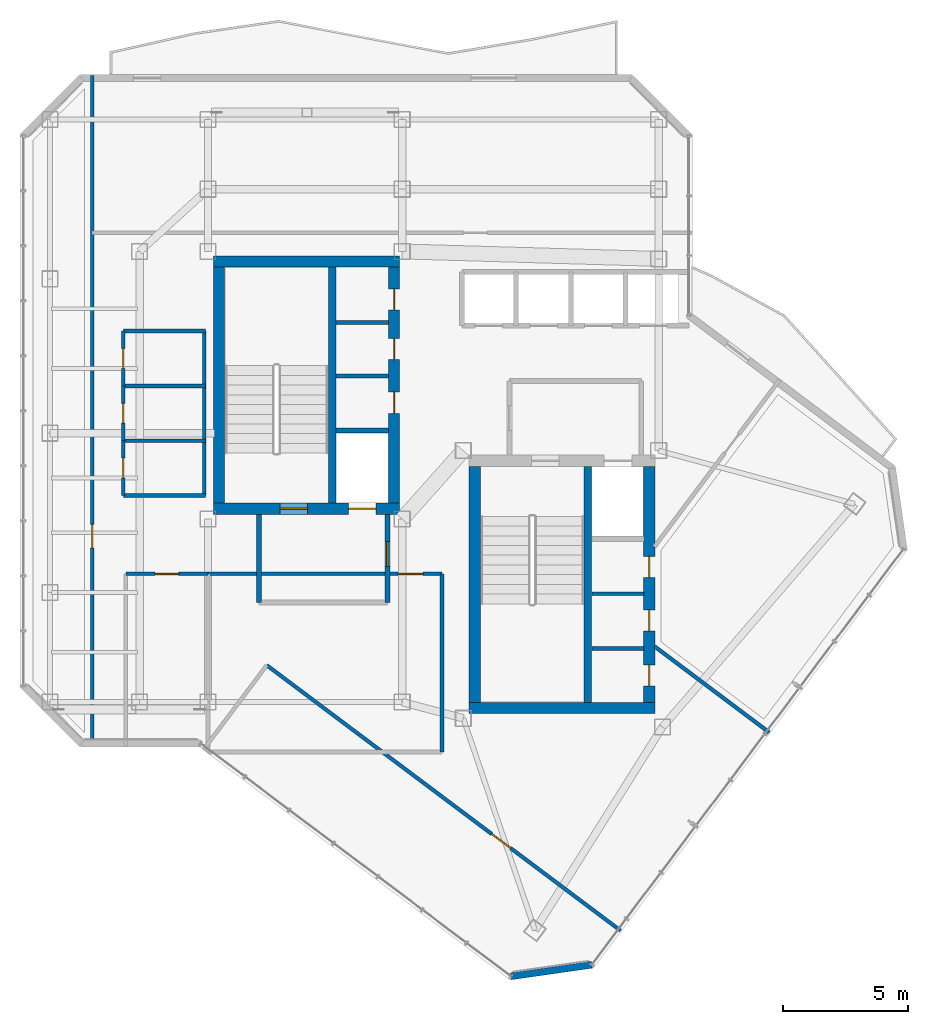
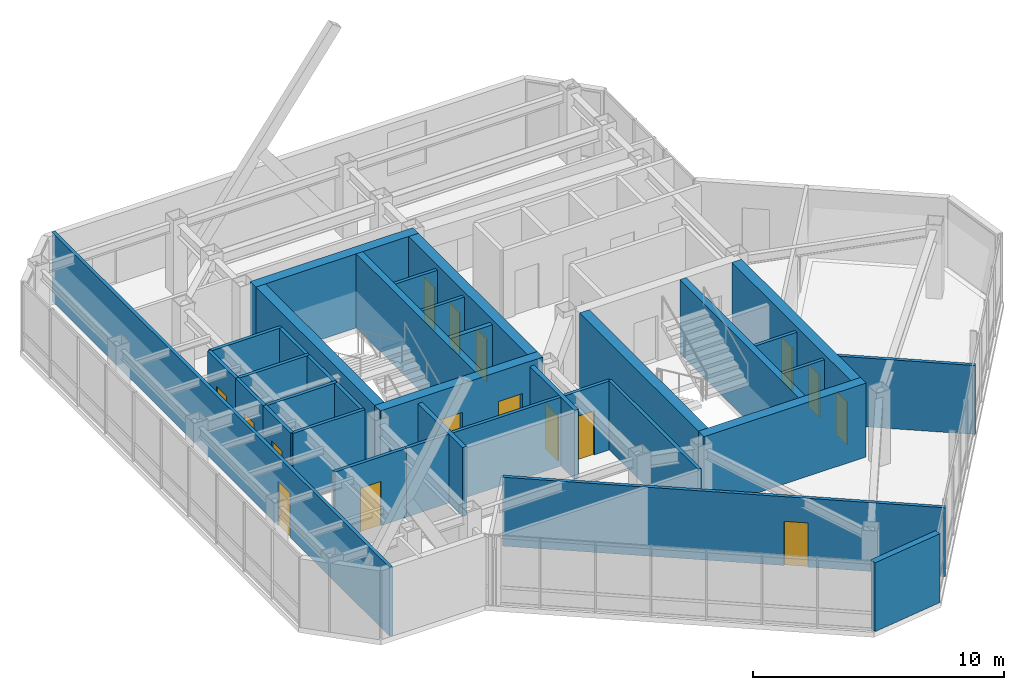
# One storey, part 18 of 22: 31 walls, 16 doors, 16 openings.
"""IFC4 building model written with IfcOpenShell, lengths in metres."""

from ifc_helpers import new_model, si_unit, direction, frame, frame_2d, origin, place, context, subcontext, project, spatial, rectangle, extrude, material, layer, layer_set, type_object, element, fill, save


model = new_model("IFC4")

# Units and contexts
model_context = context("Model", 3, precision=1e-05, world=origin(), true_north=direction((0.0, 1.0)))
body_context = subcontext(model_context, "Body", "Model", "MODEL_VIEW")
ifc_project = project(units=[si_unit("LENGTHUNIT", "METRE"), si_unit("AREAUNIT", "SQUARE_METRE"), si_unit("VOLUMEUNIT", "CUBIC_METRE"), si_unit("PLANEANGLEUNIT", "RADIAN"), si_unit("MASSUNIT", "GRAM", prefix="KILO")], contexts=[model_context])

# Site, building, storey
site_placement = place(None, origin())
site = spatial("IfcSite", under=ifc_project, at=site_placement, CompositionType="ELEMENT")
building_placement = place(site_placement, origin())
building = spatial("IfcBuilding", under=site, at=building_placement, Name="Hatsunagi Terrace Concourse", CompositionType="ELEMENT")
storey_placement = place(building_placement, frame((0.0, 0.0, 239.550048828125)))
storey = spatial("IfcBuildingStorey", under=building, at=storey_placement, Name="L63", CompositionType="ELEMENT", Elevation=239.550048828125)

# Wall, openings, doors
ifc_material_1 = material(Name="Concrete Fc42", Category="concrete")
ifc_layer_1 = layer(ifc_material_1, 0.449951171875)
ifc_layer_set_1 = layer_set([ifc_layer_1], Name="CoreShearWall_Fc42_450")
wall_type_1 = type_object("IfcWallType", Name="CoreShearWall_Fc42_450", PredefinedType="SHEAR", material=ifc_layer_set_1)
wall_1_placement = place(storey_placement, frame((25.77001953125, 32.965087890625, 0.0), z_axis=(0.0, 0.0, 1.0), x_axis=(1.0, 0.0, 0.0)))
wall_1 = element("IfcWall", 1, at=wall_1_placement, inside=storey, type_object=wall_type_1, Name="Core A Shear Wall S L63", PredefinedType="SHEAR", context=body_context, shape_type="SweptSolid", body=[
    extrude(rectangle(XDim=7.47998046875, YDim=0.449951171875, at=frame_2d((3.739990234375, 0.0))), origin(), (0.0, 0.0, 1.0), 3.599853515625),
])
opening_1_placement = place(wall_1_placement, frame((2.679931640625, 0.0, 0.0)))
opening_1 = element("IfcOpeningElement", 2, at=opening_1_placement, cuts=wall_1, Name="Opening DR-110S", PredefinedType="OPENING", context=body_context, shape_type="SweptSolid", body=[
    extrude(rectangle(XDim=1.10009765625, YDim=2.199951171875, at=frame_2d((0.550048828125, 1.10009765625))), frame((0.0, 0.23486328125, 0.0), z_axis=(0.0, -1.0, 0.0), x_axis=(1.0, 0.0, 0.0)), (0.0, 0.0, 1.0), 0.469970703125),
])
opening_2_placement = place(wall_1_placement, frame((5.429931640625, 0.0, 0.0)))
opening_2 = element("IfcOpeningElement", 3, at=opening_2_placement, cuts=wall_1, Name="Opening LD-01", PredefinedType="OPENING", context=body_context, shape_type="SweptSolid", body=[
    extrude(rectangle(XDim=1.10009765625, YDim=2.14990234375, at=frame_2d((0.550048828125, 1.074951171875))), frame((0.0, 0.23486328125, 0.0), z_axis=(0.0, -1.0, 0.0), x_axis=(1.0, 0.0, 0.0)), (0.0, 0.0, 1.0), 0.469970703125),
])
ifc_material_2 = material(Name="Stainless steel", Category="steel")
door_type_1 = type_object("IfcDoorType", Name="LiftLandingDoor_LD01", OperationType="SLIDING_TO_LEFT", PredefinedType="USERDEFINED", material=ifc_material_2)
door_1_placement = place(opening_2_placement, origin())
door_1 = element("IfcDoor", 4, at=door_1_placement, inside=storey, type_object=door_type_1, Name="Lift landing door FF-01 L63", ObjectType="SLIDING_LANDING_DOOR", OperationType="SLIDING_TO_LEFT", OverallHeight=2.14990234375, OverallWidth=1.10009765625, PredefinedType="USERDEFINED", context=body_context, shape_type="SweptSolid", body=[
    extrude(rectangle(XDim=1.10009765625, YDim=2.14990234375, at=frame_2d((0.550048828125, 1.074951171875))), frame((0.0, 0.02490234375, 0.0), z_axis=(0.0, -1.0, 0.0), x_axis=(1.0, 0.0, 0.0)), (0.0, 0.0, 1.0), 0.050048828125),
])
fill(opening_2, door_1)
ifc_material_3 = material(Name="Painted steel", Category="steel")
door_type_2 = type_object("IfcDoorType", Name="StairFireDoor_EI60_1100", OperationType="NOTDEFINED", PredefinedType="DOOR", material=ifc_material_3)
door_2_placement = place(opening_1_placement, origin())
door_2 = element("IfcDoor", 5, at=door_2_placement, inside=storey, type_object=door_type_2, Name="Stair ST-A Exit Door L63", OperationType="SINGLE_SWING_LEFT", OverallHeight=2.199951171875, OverallWidth=1.10009765625, PredefinedType="DOOR", context=body_context, shape_type="SweptSolid", body=[
    extrude(rectangle(XDim=1.10009765625, YDim=2.199951171875, at=frame_2d((0.550048828125, 1.10009765625))), frame((0.0, 0.02490234375, 0.0), z_axis=(0.0, -1.0, 0.0), x_axis=(1.0, 0.0, 0.0)), (0.0, 0.0, 1.0), 0.050048828125),
])
fill(opening_1, door_2)

# Walls
wall_2_placement = place(storey_placement, frame((25.77001953125, 42.89501953125, 0.0), z_axis=(0.0, 0.0, 1.0), x_axis=(1.0, 0.0, 0.0)))
element("IfcWall", 6, at=wall_2_placement, inside=storey, type_object=wall_type_1, Name="Core A Shear Wall N L63", PredefinedType="SHEAR", context=body_context, shape_type="SweptSolid", body=[
    extrude(rectangle(XDim=7.47998046875, YDim=0.449951171875, at=frame_2d((3.739990234375, 0.0))), origin(), (0.0, 0.0, 1.0), 3.599853515625),
])
wall_3_placement = place(storey_placement, frame((25.9951171875, 33.18994140625, 0.0), z_axis=(0.0, 0.0, 1.0), x_axis=(0.0, 1.0, 0.0)))
element("IfcWall", 7, at=wall_3_placement, inside=storey, type_object=wall_type_1, Name="Core A Shear Wall W L63", PredefinedType="SHEAR", context=body_context, shape_type="SweptSolid", body=[
    extrude(rectangle(XDim=9.47998046875, YDim=0.449951171875, at=frame_2d((4.739990234375, 0.0))), origin(), (0.0, 0.0, 1.0), 3.599853515625),
])

# Wall, openings, doors
wall_4_placement = place(storey_placement, frame((33.02490234375, 33.18994140625, 0.0), z_axis=(0.0, 0.0, 1.0), x_axis=(0.0, 1.0, 0.0)))
wall_4 = element("IfcWall", 8, at=wall_4_placement, inside=storey, type_object=wall_type_1, Name="Core A Shear Wall E L63", PredefinedType="SHEAR", context=body_context, shape_type="SweptSolid", body=[
    extrude(rectangle(XDim=9.47998046875, YDim=0.449951171875, at=frame_2d((4.739990234375, 0.0))), origin(), (0.0, 0.0, 1.0), 3.599853515625),
])
opening_3_placement = place(wall_4_placement, frame((3.610107421875, 0.0, 0.0)))
opening_3 = element("IfcOpeningElement", 9, at=opening_3_placement, cuts=wall_4, Name="Opening DR-085", PredefinedType="OPENING", context=body_context, shape_type="SweptSolid", body=[
    extrude(rectangle(XDim=0.85009765625, YDim=2.080078125, at=frame_2d((0.425048828125, 1.0400390625))), frame((0.0, 0.23486328125, 0.0), z_axis=(0.0, -1.0, 0.0), x_axis=(1.0, 0.0, 0.0)), (0.0, 0.0, 1.0), 0.469970703125),
])
opening_4_placement = place(wall_4_placement, frame((5.760009765625, 0.0, 0.0)))
opening_4 = element("IfcOpeningElement", 10, at=opening_4_placement, cuts=wall_4, Name="Opening DR-085", PredefinedType="OPENING", context=body_context, shape_type="SweptSolid", body=[
    extrude(rectangle(XDim=0.85009765625, YDim=2.080078125, at=frame_2d((0.425048828125, 1.0400390625))), frame((0.0, 0.23486328125, 0.0), z_axis=(0.0, -1.0, 0.0), x_axis=(1.0, 0.0, 0.0)), (0.0, 0.0, 1.0), 0.469970703125),
])
opening_5_placement = place(wall_4_placement, frame((7.760009765625, 0.0, 0.0)))
opening_5 = element("IfcOpeningElement", 11, at=opening_5_placement, cuts=wall_4, Name="Opening DR-085", PredefinedType="OPENING", context=body_context, shape_type="SweptSolid", body=[
    extrude(rectangle(XDim=0.85009765625, YDim=2.080078125, at=frame_2d((0.425048828125, 1.0400390625))), frame((0.0, 0.23486328125, 0.0), z_axis=(0.0, -1.0, 0.0), x_axis=(1.0, 0.0, 0.0)), (0.0, 0.0, 1.0), 0.469970703125),
])
ifc_material_4 = material(Name="Painted steel", Category="steel")
door_type_3 = type_object("IfcDoorType", Name="RiserAccessDoor_EI60_850", OperationType="NOTDEFINED", PredefinedType="DOOR", material=ifc_material_4)
door_3_placement = place(opening_3_placement, origin())
door_3 = element("IfcDoor", 12, at=door_3_placement, inside=storey, type_object=door_type_3, Name="Core A Riser Door L63-1", OperationType="SINGLE_SWING_LEFT", OverallHeight=2.080078125, OverallWidth=0.85009765625, PredefinedType="DOOR", context=body_context, shape_type="SweptSolid", body=[
    extrude(rectangle(XDim=0.85009765625, YDim=2.080078125, at=frame_2d((0.425048828125, 1.0400390625))), frame((0.0, 0.02490234375, 0.0), z_axis=(0.0, -1.0, 0.0), x_axis=(1.0, 0.0, 0.0)), (0.0, 0.0, 1.0), 0.050048828125),
])
fill(opening_3, door_3)
door_4_placement = place(opening_4_placement, origin())
door_4 = element("IfcDoor", 13, at=door_4_placement, inside=storey, type_object=door_type_3, Name="Core A Riser Door L63-2", OperationType="SINGLE_SWING_LEFT", OverallHeight=2.080078125, OverallWidth=0.85009765625, PredefinedType="DOOR", context=body_context, shape_type="SweptSolid", body=[
    extrude(rectangle(XDim=0.85009765625, YDim=2.080078125, at=frame_2d((0.425048828125, 1.0400390625))), frame((0.0, 0.02490234375, 0.0), z_axis=(0.0, -1.0, 0.0), x_axis=(1.0, 0.0, 0.0)), (0.0, 0.0, 1.0), 0.050048828125),
])
fill(opening_4, door_4)
door_5_placement = place(opening_5_placement, origin())
door_5 = element("IfcDoor", 14, at=door_5_placement, inside=storey, type_object=door_type_3, Name="Core A Riser Door L63-3", OperationType="SINGLE_SWING_LEFT", OverallHeight=2.080078125, OverallWidth=0.85009765625, PredefinedType="DOOR", context=body_context, shape_type="SweptSolid", body=[
    extrude(rectangle(XDim=0.85009765625, YDim=2.080078125, at=frame_2d((0.425048828125, 1.0400390625))), frame((0.0, 0.02490234375, 0.0), z_axis=(0.0, -1.0, 0.0), x_axis=(1.0, 0.0, 0.0)), (0.0, 0.0, 1.0), 0.050048828125),
])
fill(opening_5, door_5)

# Walls
wall_5_placement = place(storey_placement, frame((36.0400390625, 24.965087890625, 0.0), z_axis=(0.0, 0.0, 1.0), x_axis=(1.0, 0.0, 0.0)))
element("IfcWall", 15, at=wall_5_placement, inside=storey, type_object=wall_type_1, Name="Core B Shear Wall S L63", PredefinedType="SHEAR", context=body_context, shape_type="SweptSolid", body=[
    extrude(rectangle(XDim=7.4599609375, YDim=0.449951171875, at=frame_2d((3.72998046875, 0.0))), origin(), (0.0, 0.0, 1.0), 3.599853515625),
])
wall_6_placement = place(storey_placement, frame((36.264892578125, 25.18994140625, 0.0), z_axis=(0.0, 0.0, 1.0), x_axis=(0.0, 1.0, 0.0)))
element("IfcWall", 16, at=wall_6_placement, inside=storey, type_object=wall_type_1, Name="Core B Shear Wall W L63", PredefinedType="SHEAR", context=body_context, shape_type="SweptSolid", body=[
    extrude(rectangle(XDim=9.47998046875, YDim=0.449951171875, at=frame_2d((4.739990234375, 0.0))), origin(), (0.0, 0.0, 1.0), 3.599853515625),
])

# Wall, openings, doors
wall_7_placement = place(storey_placement, frame((43.27490234375, 25.18994140625, 0.0), z_axis=(0.0, 0.0, 1.0), x_axis=(0.0, 1.0, 0.0)))
wall_7 = element("IfcWall", 17, at=wall_7_placement, inside=storey, type_object=wall_type_1, Name="Core B Shear Wall E L63", PredefinedType="SHEAR", context=body_context, shape_type="SweptSolid", body=[
    extrude(rectangle(XDim=9.47998046875, YDim=0.449951171875, at=frame_2d((4.739990234375, 0.0))), origin(), (0.0, 0.0, 1.0), 3.599853515625),
])
opening_6_placement = place(wall_7_placement, frame((0.659912109375, 0.0, 0.0)))
opening_6 = element("IfcOpeningElement", 18, at=opening_6_placement, cuts=wall_7, Name="Opening DR-085", PredefinedType="OPENING", context=body_context, shape_type="SweptSolid", body=[
    extrude(rectangle(XDim=0.85009765625, YDim=2.080078125, at=frame_2d((0.425048828125, 1.0400390625))), frame((0.0, 0.23486328125, 0.0), z_axis=(0.0, -1.0, 0.0), x_axis=(1.0, 0.0, 0.0)), (0.0, 0.0, 1.0), 0.469970703125),
])
opening_7_placement = place(wall_7_placement, frame((2.860107421875, 0.0, 0.0)))
opening_7 = element("IfcOpeningElement", 19, at=opening_7_placement, cuts=wall_7, Name="Opening DR-085", PredefinedType="OPENING", context=body_context, shape_type="SweptSolid", body=[
    extrude(rectangle(XDim=0.85009765625, YDim=2.080078125, at=frame_2d((0.425048828125, 1.0400390625))), frame((0.0, 0.23486328125, 0.0), z_axis=(0.0, -1.0, 0.0), x_axis=(1.0, 0.0, 0.0)), (0.0, 0.0, 1.0), 0.469970703125),
])
opening_8_placement = place(wall_7_placement, frame((5.010009765625, 0.0, 0.0)))
opening_8 = element("IfcOpeningElement", 20, at=opening_8_placement, cuts=wall_7, Name="Opening DR-085", PredefinedType="OPENING", context=body_context, shape_type="SweptSolid", body=[
    extrude(rectangle(XDim=0.85009765625, YDim=2.080078125, at=frame_2d((0.425048828125, 1.0400390625))), frame((0.0, 0.23486328125, 0.0), z_axis=(0.0, -1.0, 0.0), x_axis=(1.0, 0.0, 0.0)), (0.0, 0.0, 1.0), 0.469970703125),
])
door_6_placement = place(opening_6_placement, origin())
door_6 = element("IfcDoor", 21, at=door_6_placement, inside=storey, type_object=door_type_3, Name="Core B Riser Door L63-1", OperationType="SINGLE_SWING_RIGHT", OverallHeight=2.080078125, OverallWidth=0.85009765625, PredefinedType="DOOR", context=body_context, shape_type="SweptSolid", body=[
    extrude(rectangle(XDim=0.85009765625, YDim=2.080078125, at=frame_2d((0.425048828125, 1.0400390625))), frame((0.0, 0.02490234375, 0.0), z_axis=(0.0, -1.0, 0.0), x_axis=(1.0, 0.0, 0.0)), (0.0, 0.0, 1.0), 0.050048828125),
])
fill(opening_6, door_6)
door_7_placement = place(opening_7_placement, origin())
door_7 = element("IfcDoor", 22, at=door_7_placement, inside=storey, type_object=door_type_3, Name="Core B Riser Door L63-2", OperationType="SINGLE_SWING_RIGHT", OverallHeight=2.080078125, OverallWidth=0.85009765625, PredefinedType="DOOR", context=body_context, shape_type="SweptSolid", body=[
    extrude(rectangle(XDim=0.85009765625, YDim=2.080078125, at=frame_2d((0.425048828125, 1.0400390625))), frame((0.0, 0.02490234375, 0.0), z_axis=(0.0, -1.0, 0.0), x_axis=(1.0, 0.0, 0.0)), (0.0, 0.0, 1.0), 0.050048828125),
])
fill(opening_7, door_7)
door_8_placement = place(opening_8_placement, origin())
door_8 = element("IfcDoor", 23, at=door_8_placement, inside=storey, type_object=door_type_3, Name="Core B Riser Door L63-3", OperationType="SINGLE_SWING_RIGHT", OverallHeight=2.080078125, OverallWidth=0.85009765625, PredefinedType="DOOR", context=body_context, shape_type="SweptSolid", body=[
    extrude(rectangle(XDim=0.85009765625, YDim=2.080078125, at=frame_2d((0.425048828125, 1.0400390625))), frame((0.0, 0.02490234375, 0.0), z_axis=(0.0, -1.0, 0.0), x_axis=(1.0, 0.0, 0.0)), (0.0, 0.0, 1.0), 0.050048828125),
])
fill(opening_8, door_8)

# Walls
ifc_material_5 = material(Name="Concrete Fc48", Category="concrete")
ifc_layer_2 = layer(ifc_material_5, 0.300048828125)
ifc_layer_set_2 = layer_set([ifc_layer_2], Name="CoreStairDivider_Fc48_300")
wall_type_2 = type_object("IfcWallType", Name="CoreStairDivider_Fc48_300", PredefinedType="SHEAR", material=ifc_layer_set_2)
for number, where, z_axis, x_axis, name in (
    (24, (30.5400390625, 33.18994140625, 0.0), (0.0, 0.0, 1.0), (0.0, 1.0, 0.0), "Core A Shear Wall D L63"),
    (25, (40.81005859375, 25.18994140625, 0.0), (0.0, 0.0, 1.0), (0.0, 1.0, 0.0), "Core B Shear Wall D L63"),
):
    element("IfcWall", number, at=place(storey_placement, frame(where, z_axis=z_axis, x_axis=x_axis)), inside=storey, type_object=wall_type_2, Name=name, PredefinedType="SHEAR", context=body_context, shape_type="SweptSolid", body=[
        extrude(rectangle(XDim=9.47998046875, YDim=0.300048828125, at=frame_2d((4.739990234375, 0.0))), origin(), (0.0, 0.0, 1.0), 3.599853515625),
    ])
ifc_material_6 = material(Name="Acoustic mineral board", Category="gypsum")
ifc_layer_3 = layer(ifc_material_6, 0.14990234375)
ifc_layer_set_3 = layer_set([ifc_layer_3], Name="PartitionWall_EI60_150")
wall_type_3 = type_object("IfcWallType", Name="PartitionWall_EI60_150", PredefinedType="PARTITIONING", material=ifc_layer_set_3)
for number, where, z_axis, x_axis, name in (
    (26, (30.699951171875, 38.300048828125, 0.0), (0.0, 0.0, 1.0), (1.0, 0.0, 0.0), "Interior Partition IW-L63-002"),
    (27, (30.699951171875, 40.449951171875, 0.0), (0.0, 0.0, 1.0), (1.0, 0.0, 0.0), "Interior Partition IW-L63-003"),
):
    element("IfcWall", number, at=place(storey_placement, frame(where, z_axis=z_axis, x_axis=x_axis)), inside=storey, type_object=wall_type_3, Name=name, PredefinedType="PARTITIONING", context=body_context, shape_type="SweptSolid", body=[
        extrude(rectangle(XDim=2.10009765625, YDim=0.14990234375, at=frame_2d((1.050048828125, 0.0))), origin(), (0.0, 0.0, 1.0), 3.349853515625),
    ])
for number, where, z_axis, x_axis, name in (
    (28, (40.969970703125, 27.35009765625, 0.0), (0.0, 0.0, 1.0), (1.0, 0.0, 0.0), "Interior Partition IW-L63-005"),
    (29, (40.969970703125, 29.550048828125, 0.0), (0.0, 0.0, 1.0), (1.0, 0.0, 0.0), "Interior Partition IW-L63-006"),
):
    element("IfcWall", number, at=place(storey_placement, frame(where, z_axis=z_axis, x_axis=x_axis)), inside=storey, type_object=wall_type_3, Name=name, PredefinedType="PARTITIONING", context=body_context, shape_type="SweptSolid", body=[
        extrude(rectangle(XDim=2.080078125, YDim=0.14990234375, at=frame_2d((1.0400390625, 0.0))), origin(), (0.0, 0.0, 1.0), 3.349853515625),
    ])
for number, where, z_axis, x_axis, name in (
    (30, (22.14990234375, 33.5, 0.0), (0.0, 0.0, 1.0), (1.0, 0.0, 0.0), "Interior Partition IW-L63-019"),
    (31, (22.14990234375, 40.10009765625, 0.0), (0.0, 0.0, 1.0), (1.0, 0.0, 0.0), "Interior Partition IW-L63-020"),
):
    element("IfcWall", number, at=place(storey_placement, frame(where, z_axis=z_axis, x_axis=x_axis)), inside=storey, type_object=wall_type_3, Name=name, PredefinedType="PARTITIONING", context=body_context, shape_type="SweptSolid", body=[
        extrude(rectangle(XDim=3.300048828125, YDim=0.14990234375, at=frame_2d((1.64990234375, 0.0))), origin(), (0.0, 0.0, 1.0), 3.349853515625),
    ])
wall_8_placement = place(storey_placement, frame((25.39990234375, 33.5, 0.0), z_axis=(0.0, 0.0, 1.0), x_axis=(0.0, 1.0, 0.0)))
element("IfcWall", 32, at=wall_8_placement, inside=storey, type_object=wall_type_3, Name="Interior Partition IW-L63-021", PredefinedType="PARTITIONING", context=body_context, shape_type="SweptSolid", body=[
    extrude(rectangle(XDim=6.60009765625, YDim=0.14990234375, at=frame_2d((3.300048828125, 0.0))), origin(), (0.0, 0.0, 1.0), 3.349853515625),
])
for number, where, z_axis, x_axis, name in (
    (33, (22.14990234375, 35.699951171875, 0.0), (0.0, 0.0, 1.0), (1.0, 0.0, 0.0), "Interior Partition IW-L63-022"),
    (34, (22.14990234375, 37.89990234375, 0.0), (0.0, 0.0, 1.0), (1.0, 0.0, 0.0), "Interior Partition IW-L63-023"),
):
    element("IfcWall", number, at=place(storey_placement, frame(where, z_axis=z_axis, x_axis=x_axis)), inside=storey, type_object=wall_type_3, Name=name, PredefinedType="PARTITIONING", context=body_context, shape_type="SweptSolid", body=[
        extrude(rectangle(XDim=3.300048828125, YDim=0.14990234375, at=frame_2d((1.64990234375, 0.0))), origin(), (0.0, 0.0, 1.0), 3.349853515625),
    ])

# Wall, opening, door
wall_9_placement = place(storey_placement, frame((22.14990234375, 33.5, 0.0), z_axis=(0.0, 0.0, 1.0), x_axis=(0.0, 1.0, 0.0)))
wall_9 = element("IfcWall", 35, at=wall_9_placement, inside=storey, type_object=wall_type_3, Name="Interior Partition IW-L63-024", PredefinedType="PARTITIONING", context=body_context, shape_type="SweptSolid", body=[
    extrude(rectangle(XDim=2.199951171875, YDim=0.14990234375, at=frame_2d((1.10009765625, 0.0))), origin(), (0.0, 0.0, 1.0), 3.349853515625),
])
opening_9_placement = place(wall_9_placement, frame((0.699951171875, 0.0, 0.0)))
opening_9 = element("IfcOpeningElement", 36, at=opening_9_placement, cuts=wall_9, Name="Opening DR-080", PredefinedType="OPENING", context=body_context, shape_type="SweptSolid", body=[
    extrude(rectangle(XDim=0.800048828125, YDim=2.06005859375, at=frame_2d((0.39990234375, 1.030029296875))), frame((0.0, 0.0849609375, 0.0), z_axis=(0.0, -1.0, 0.0), x_axis=(1.0, 0.0, 0.0)), (0.0, 0.0, 1.0), 0.169921875),
])
ifc_material_7 = material(Name="Hardwood timber", Category="wood")
door_type_4 = type_object("IfcDoorType", Name="BathroomDoor_800", OperationType="NOTDEFINED", PredefinedType="DOOR", material=ifc_material_7)
door_9_placement = place(opening_9_placement, origin())
door_9 = element("IfcDoor", 37, at=door_9_placement, inside=storey, type_object=door_type_4, Name="Accessible WC Door L63", OperationType="SINGLE_SWING_RIGHT", OverallHeight=2.06005859375, OverallWidth=0.800048828125, PredefinedType="DOOR", context=body_context, shape_type="SweptSolid", body=[
    extrude(rectangle(XDim=0.800048828125, YDim=2.06005859375, at=frame_2d((0.39990234375, 1.030029296875))), frame((0.0, 0.02490234375, 0.0), z_axis=(0.0, -1.0, 0.0), x_axis=(1.0, 0.0, 0.0)), (0.0, 0.0, 1.0), 0.050048828125),
])
fill(opening_9, door_9)

wall_10_placement = place(storey_placement, frame((22.14990234375, 35.699951171875, 0.0), z_axis=(0.0, 0.0, 1.0), x_axis=(0.0, 1.0, 0.0)))
wall_10 = element("IfcWall", 38, at=wall_10_placement, inside=storey, type_object=wall_type_3, Name="Interior Partition IW-L63-025", PredefinedType="PARTITIONING", context=body_context, shape_type="SweptSolid", body=[
    extrude(rectangle(XDim=2.199951171875, YDim=0.14990234375, at=frame_2d((1.10009765625, 0.0))), origin(), (0.0, 0.0, 1.0), 3.349853515625),
])
opening_10_placement = place(wall_10_placement, frame((0.699951171875, 0.0, 0.0)))
opening_10 = element("IfcOpeningElement", 39, at=opening_10_placement, cuts=wall_10, Name="Opening DR-080", PredefinedType="OPENING", context=body_context, shape_type="SweptSolid", body=[
    extrude(rectangle(XDim=0.800048828125, YDim=2.06005859375, at=frame_2d((0.39990234375, 1.030029296875))), frame((0.0, 0.0849609375, 0.0), z_axis=(0.0, -1.0, 0.0), x_axis=(1.0, 0.0, 0.0)), (0.0, 0.0, 1.0), 0.169921875),
])
door_10_placement = place(opening_10_placement, origin())
door_10 = element("IfcDoor", 40, at=door_10_placement, inside=storey, type_object=door_type_4, Name="Female Restroom Door L63", OperationType="SINGLE_SWING_RIGHT", OverallHeight=2.06005859375, OverallWidth=0.800048828125, PredefinedType="DOOR", context=body_context, shape_type="SweptSolid", body=[
    extrude(rectangle(XDim=0.800048828125, YDim=2.06005859375, at=frame_2d((0.39990234375, 1.030029296875))), frame((0.0, 0.02490234375, 0.0), z_axis=(0.0, -1.0, 0.0), x_axis=(1.0, 0.0, 0.0)), (0.0, 0.0, 1.0), 0.050048828125),
])
fill(opening_10, door_10)

wall_11_placement = place(storey_placement, frame((22.14990234375, 37.89990234375, 0.0), z_axis=(0.0, 0.0, 1.0), x_axis=(0.0, 1.0, 0.0)))
wall_11 = element("IfcWall", 41, at=wall_11_placement, inside=storey, type_object=wall_type_3, Name="Interior Partition IW-L63-026", PredefinedType="PARTITIONING", context=body_context, shape_type="SweptSolid", body=[
    extrude(rectangle(XDim=2.2001953125, YDim=0.14990234375, at=frame_2d((1.10009765625, 0.0))), origin(), (0.0, 0.0, 1.0), 3.349853515625),
])
opening_11_placement = place(wall_11_placement, frame((0.699951171875, 0.0, 0.0)))
opening_11 = element("IfcOpeningElement", 42, at=opening_11_placement, cuts=wall_11, Name="Opening DR-080", PredefinedType="OPENING", context=body_context, shape_type="SweptSolid", body=[
    extrude(rectangle(XDim=0.800048828125, YDim=2.06005859375, at=frame_2d((0.39990234375, 1.030029296875))), frame((0.0, 0.0849609375, 0.0), z_axis=(0.0, -1.0, 0.0), x_axis=(1.0, 0.0, 0.0)), (0.0, 0.0, 1.0), 0.169921875),
])
door_11_placement = place(opening_11_placement, origin())
door_11 = element("IfcDoor", 43, at=door_11_placement, inside=storey, type_object=door_type_4, Name="Male Restroom Door L63", OperationType="SINGLE_SWING_RIGHT", OverallHeight=2.06005859375, OverallWidth=0.800048828125, PredefinedType="DOOR", context=body_context, shape_type="SweptSolid", body=[
    extrude(rectangle(XDim=0.800048828125, YDim=2.06005859375, at=frame_2d((0.39990234375, 1.030029296875))), frame((0.0, 0.02490234375, 0.0), z_axis=(0.0, -1.0, 0.0), x_axis=(1.0, 0.0, 0.0)), (0.0, 0.0, 1.0), 0.050048828125),
])
fill(opening_11, door_11)

wall_12_placement = place(storey_placement, frame((25.550048828125, 30.35009765625, 0.0), z_axis=(0.0, 0.0, 1.0), x_axis=(1.0, 0.0, 0.0)))
wall_12 = element("IfcWall", 44, at=wall_12_placement, inside=storey, type_object=wall_type_3, Name="Interior Partition IW-L63-028", PredefinedType="PARTITIONING", context=body_context, shape_type="SweptSolid", body=[
    extrude(rectangle(XDim=9.39990234375, YDim=0.14990234375, at=frame_2d((4.699951171875, 0.0))), origin(), (0.0, 0.0, 1.0), 3.349853515625),
])
opening_12_placement = place(wall_12_placement, frame((7.637939453125, 0.0, 0.0)))
opening_12 = element("IfcOpeningElement", 45, at=opening_12_placement, cuts=wall_12, Name="Opening DR-100S", PredefinedType="OPENING", context=body_context, shape_type="SweptSolid", body=[
    extrude(rectangle(XDim=1.0, YDim=2.14990234375, at=frame_2d((0.5, 1.074951171875))), frame((0.0, 0.0849609375, 0.0), z_axis=(0.0, -1.0, 0.0), x_axis=(1.0, 0.0, 0.0)), (0.0, 0.0, 1.0), 0.169921875),
])
ifc_material_8 = material(Name="Hardwood timber", Category="wood")
door_type_5 = type_object("IfcDoorType", Name="SuiteDoor_EI30_1000", OperationType="NOTDEFINED", PredefinedType="DOOR", material=ifc_material_8)
door_12_placement = place(opening_12_placement, origin())
door_12 = element("IfcDoor", 46, at=door_12_placement, inside=storey, type_object=door_type_5, Name="Design Studio L63-RECL1 Door", OperationType="SINGLE_SWING_RIGHT", OverallHeight=2.14990234375, OverallWidth=1.0, PredefinedType="DOOR", context=body_context, shape_type="SweptSolid", body=[
    extrude(rectangle(XDim=1.0, YDim=2.14990234375, at=frame_2d((0.5, 1.074951171875))), frame((0.0, 0.02490234375, 0.0), z_axis=(0.0, -1.0, 0.0), x_axis=(1.0, 0.0, 0.0)), (0.0, 0.0, 1.0), 0.050048828125),
])
fill(opening_12, door_12)

# Wall
wall_13_placement = place(storey_placement, frame((34.949951171875, 23.199951171875, 0.0), z_axis=(0.0, 0.0, 1.0), x_axis=(0.0, 1.0, 0.0)))
element("IfcWall", 47, at=wall_13_placement, inside=storey, type_object=wall_type_3, Name="Interior Partition IW-L63-030", PredefinedType="PARTITIONING", context=body_context, shape_type="SweptSolid", body=[
    extrude(rectangle(XDim=7.150146484375, YDim=0.14990234375, at=frame_2d((3.5751953125, 0.0))), origin(), (0.0, 0.0, 1.0), 3.349853515625),
])

# Wall, opening, door
wall_14_placement = place(storey_placement, frame((20.89990234375, 23.43994140625, 0.0), z_axis=(0.0, 0.0, 1.0), x_axis=(0.0, 1.0, 0.0)))
wall_14 = element("IfcWall", 48, at=wall_14_placement, inside=storey, type_object=wall_type_3, Name="Interior Partition IW-L63-031", PredefinedType="PARTITIONING", context=body_context, shape_type="SweptSolid", body=[
    extrude(rectangle(XDim=26.920166015625, YDim=0.14990234375, at=frame_2d((13.4599609375, 0.0))), origin(), (0.0, 0.0, 1.0), 3.349853515625),
])
opening_13_placement = place(wall_14_placement, frame((7.943115234375, 0.0, 0.0)))
opening_13 = element("IfcOpeningElement", 49, at=opening_13_placement, cuts=wall_14, Name="Opening DR-095", PredefinedType="OPENING", context=body_context, shape_type="SweptSolid", body=[
    extrude(rectangle(XDim=0.949951171875, YDim=2.14990234375, at=frame_2d((0.47509765625, 1.074951171875))), frame((0.0, 0.0849609375, 0.0), z_axis=(0.0, -1.0, 0.0), x_axis=(1.0, 0.0, 0.0)), (0.0, 0.0, 1.0), 0.169921875),
])
ifc_material_9 = material(Name="Hardwood timber", Category="wood")
door_type_6 = type_object("IfcDoorType", Name="InteriorSuiteDoor_EI30_950", OperationType="NOTDEFINED", PredefinedType="DOOR", material=ifc_material_9)
door_13_placement = place(opening_13_placement, origin())
door_13 = element("IfcDoor", 50, at=door_13_placement, inside=storey, type_object=door_type_6, Name="Open Plan Office L63-OW1 Door", OperationType="SINGLE_SWING_RIGHT", OverallHeight=2.14990234375, OverallWidth=0.949951171875, PredefinedType="DOOR", context=body_context, shape_type="SweptSolid", body=[
    extrude(rectangle(XDim=0.949951171875, YDim=2.14990234375, at=frame_2d((0.47509765625, 1.074951171875))), frame((0.0, 0.02490234375, 0.0), z_axis=(0.0, -1.0, 0.0), x_axis=(1.0, 0.0, 0.0)), (0.0, 0.0, 1.0), 0.050048828125),
])
fill(opening_13, door_13)

# Wall
wall_15_placement = place(storey_placement, frame((43.47998046875, 27.43994140625, 0.0), z_axis=(0.0, 0.0, 1.0), x_axis=(0.79998982729, -0.600013563374, 0.0)))
element("IfcWall", 51, at=wall_15_placement, inside=storey, type_object=wall_type_3, Name="Interior Partition IW-L63-033", PredefinedType="PARTITIONING", context=body_context, shape_type="SweptSolid", body=[
    extrude(rectangle(XDim=5.760009765625, YDim=0.14990234375, at=frame_2d((2.8798828125, 0.0))), origin(), (0.0, 0.0, 1.0), 3.349853515625),
])

# Wall, opening, door
wall_16_placement = place(storey_placement, frame((22.25, 30.35009765625, 0.0), z_axis=(0.0, 0.0, 1.0), x_axis=(1.0, 0.0, 0.0)))
wall_16 = element("IfcWall", 52, at=wall_16_placement, inside=storey, type_object=wall_type_3, Name="Interior Partition IW-L63-035", PredefinedType="PARTITIONING", context=body_context, shape_type="SweptSolid", body=[
    extrude(rectangle(XDim=3.300048828125, YDim=0.14990234375, at=frame_2d((1.64990234375, 0.0))), origin(), (0.0, 0.0, 1.0), 3.349853515625),
])
opening_14_placement = place(wall_16_placement, frame((1.175048828125, 0.0, 0.0)))
opening_14 = element("IfcOpeningElement", 53, at=opening_14_placement, cuts=wall_16, Name="Opening DR-095", PredefinedType="OPENING", context=body_context, shape_type="SweptSolid", body=[
    extrude(rectangle(XDim=0.949951171875, YDim=2.14990234375, at=frame_2d((0.47509765625, 1.074951171875))), frame((0.0, 0.0849609375, 0.0), z_axis=(0.0, -1.0, 0.0), x_axis=(1.0, 0.0, 0.0)), (0.0, 0.0, 1.0), 0.169921875),
])
door_14_placement = place(opening_14_placement, origin())
door_14 = element("IfcDoor", 54, at=door_14_placement, inside=storey, type_object=door_type_6, Name="Private Salon L63-OCSW Door", OperationType="SINGLE_SWING_RIGHT", OverallHeight=2.14990234375, OverallWidth=0.949951171875, PredefinedType="DOOR", context=body_context, shape_type="SweptSolid", body=[
    extrude(rectangle(XDim=0.949951171875, YDim=2.14990234375, at=frame_2d((0.47509765625, 1.074951171875))), frame((0.0, 0.02490234375, 0.0), z_axis=(0.0, -1.0, 0.0), x_axis=(1.0, 0.0, 0.0)), (0.0, 0.0, 1.0), 0.050048828125),
])
fill(opening_14, door_14)

wall_17_placement = place(storey_placement, frame((27.909912109375, 26.679931640625, 0.0), z_axis=(0.0, 0.0, 1.0), x_axis=(0.8, -0.6, 0.0)))
wall_17 = element("IfcWall", 55, at=wall_17_placement, inside=storey, type_object=wall_type_3, Name="Interior Partition IW-L63-037", PredefinedType="PARTITIONING", context=body_context, shape_type="SweptSolid", body=[
    extrude(rectangle(XDim=17.760009765625, YDim=0.14990234375, at=frame_2d((8.8798828125, 0.0))), origin(), (0.0, 0.0, 1.0), 3.349853515625),
])
opening_15_placement = place(wall_17_placement, frame((11.2939453125, 0.0, 0.0)))
opening_15 = element("IfcOpeningElement", 56, at=opening_15_placement, cuts=wall_17, Name="Opening DR-095", PredefinedType="OPENING", context=body_context, shape_type="SweptSolid", body=[
    extrude(rectangle(XDim=0.949951171875, YDim=2.14990234375, at=frame_2d((0.47509765625, 1.074951171875))), frame((0.0, 0.0849609375, 0.0), z_axis=(0.0, -1.0, 0.0), x_axis=(1.0, 0.0, 0.0)), (0.0, 0.0, 1.0), 0.169921875),
])
door_15_placement = place(opening_15_placement, origin())
door_15 = element("IfcDoor", 57, at=door_15_placement, inside=storey, type_object=door_type_6, Name="Research Focus Suite L63-OSWS Door", OperationType="SINGLE_SWING_LEFT", OverallHeight=2.14990234375, OverallWidth=0.949951171875, PredefinedType="DOOR", context=body_context, shape_type="SweptSolid", body=[
    extrude(rectangle(XDim=0.949951171875, YDim=2.14990234375, at=frame_2d((0.47509765625, 1.074951171875))), frame((0.0, 0.02490234375, 0.0), z_axis=(0.0, -1.0, 0.0), x_axis=(1.0, 0.0, 0.0)), (0.0, 0.0, 1.0), 0.050048828125),
])
fill(opening_15, door_15)

# Walls
ifc_material_10 = material(Name="Acoustic mineral board", Category="gypsum")
ifc_layer_4 = layer(ifc_material_10, 0.199951171875)
ifc_layer_set_4 = layer_set([ifc_layer_4], Name="ShaftWall_EI120_200")
wall_type_4 = type_object("IfcWallType", Name="ShaftWall_EI120_200", PredefinedType="STANDARD", material=ifc_layer_set_4)
wall_18_placement = place(storey_placement, frame((30.699951171875, 36.10009765625, 0.0), z_axis=(0.0, 0.0, 1.0), x_axis=(1.0, 0.0, 0.0)))
element("IfcWall", 58, at=wall_18_placement, inside=storey, type_object=wall_type_4, Name="Interior Partition IW-L63-001", PredefinedType="STANDARD", context=body_context, shape_type="SweptSolid", body=[
    extrude(rectangle(XDim=2.10009765625, YDim=0.199951171875, at=frame_2d((1.050048828125, 0.0))), origin(), (0.0, 0.0, 1.0), 3.349853515625),
])
wall_19_placement = place(storey_placement, frame((27.60009765625, 29.199951171875, 0.0), z_axis=(0.0, 0.0, 1.0), x_axis=(0.0, 1.0, 0.0)))
element("IfcWall", 59, at=wall_19_placement, inside=storey, type_object=wall_type_4, Name="Interior Partition IW-L63-008", PredefinedType="STANDARD", context=body_context, shape_type="SweptSolid", body=[
    extrude(rectangle(XDim=3.5400390625, YDim=0.199951171875, at=frame_2d((1.77001953125, 0.0))), origin(), (0.0, 0.0, 1.0), 3.349853515625),
])

# Wall, opening, door
wall_20_placement = place(storey_placement, frame((32.75, 29.199951171875, 0.0), z_axis=(0.0, 0.0, 1.0), x_axis=(0.0, 1.0, 0.0)))
wall_20 = element("IfcWall", 60, at=wall_20_placement, inside=storey, type_object=wall_type_4, Name="Interior Partition IW-L63-009", PredefinedType="STANDARD", context=body_context, shape_type="SweptSolid", body=[
    extrude(rectangle(XDim=3.5400390625, YDim=0.199951171875, at=frame_2d((1.77001953125, 0.0))), origin(), (0.0, 0.0, 1.0), 3.349853515625),
])
opening_16_placement = place(wall_20_placement, frame((1.449951171875, 0.0, 0.0)))
opening_16 = element("IfcOpeningElement", 61, at=opening_16_placement, cuts=wall_20, Name="Opening DR-100F", PredefinedType="OPENING", context=body_context, shape_type="SweptSolid", body=[
    extrude(rectangle(XDim=1.0, YDim=2.199951171875, at=frame_2d((0.5, 1.10009765625))), frame((0.0, 0.10986328125, 0.0), z_axis=(0.0, -1.0, 0.0), x_axis=(1.0, 0.0, 0.0)), (0.0, 0.0, 1.0), 0.219970703125),
])
ifc_material_11 = material(Name="Painted steel", Category="steel")
door_type_7 = type_object("IfcDoorType", Name="FireDoor_EI60_1000", OperationType="NOTDEFINED", PredefinedType="DOOR", material=ifc_material_11)
door_16_placement = place(opening_16_placement, origin())
door_16 = element("IfcDoor", 62, at=door_16_placement, inside=storey, type_object=door_type_7, Name="Firefighting Lobby A Door L63", OperationType="SINGLE_SWING_RIGHT", OverallHeight=2.199951171875, OverallWidth=1.0, PredefinedType="DOOR", context=body_context, shape_type="SweptSolid", body=[
    extrude(rectangle(XDim=1.0, YDim=2.199951171875, at=frame_2d((0.5, 1.10009765625))), frame((0.0, 0.02490234375, 0.0), z_axis=(0.0, -1.0, 0.0), x_axis=(1.0, 0.0, 0.0)), (0.0, 0.0, 1.0), 0.050048828125),
])
fill(opening_16, door_16)

# Wall
ifc_material_12 = material(Name="Autoclaved Lightweight Concrete and Terracotta Cladding", Category="masonry")
ifc_layer_5 = layer(ifc_material_12, 0.280029296875)
ifc_layer_set_5 = layer_set([ifc_layer_5], Name="TerracottaSpandrelWall_280")
wall_type_5 = type_object("IfcWallType", Name="TerracottaSpandrelWall_280", PredefinedType="STANDARD", material=ifc_layer_set_5)
wall_21_placement = place(storey_placement, frame((40.962890625, 14.64990234375, 0.0), z_axis=(0.0, 0.0, 1.0), x_axis=(-0.989977778067, -0.141223223777, 0.0)))
element("IfcWall", 63, at=wall_21_placement, inside=storey, type_object=wall_type_5, Name="Exterior Spandrel Wall EW-L63-04", PredefinedType="STANDARD", context=body_context, shape_type="SweptSolid", body=[
    extrude(rectangle(XDim=3.27783203125, YDim=0.280029296875, at=frame_2d((1.638916015625, 0.0))), origin(), (0.0, 0.0, 1.0), 3.349853515625),
])

save(model, "model.ifc")
